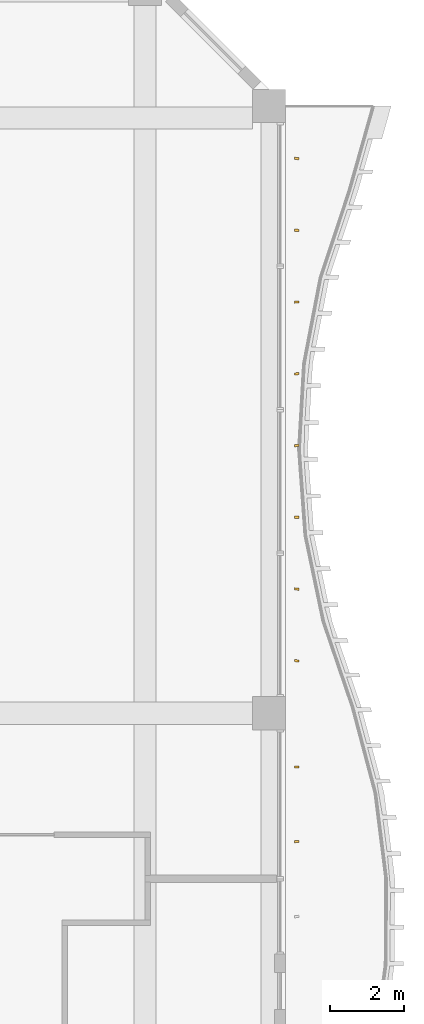
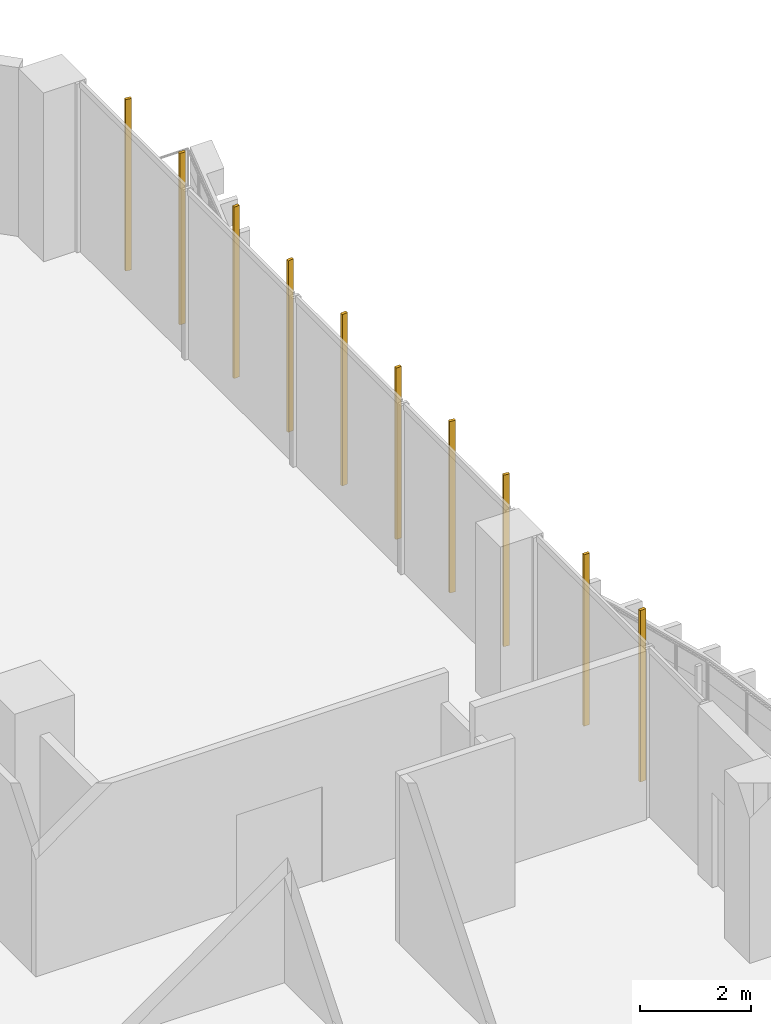
# One storey, part 29 of 29: 10 shading devices.
"""IFC4 building model written with IfcOpenShell, lengths in metres."""

import ifcopenshell
import ifcopenshell.guid

model = None  # the IFC model being written
_history = None  # IfcOwnerHistory: only IFC2X3 demands one
_inside = {}  # id of a spatial element -> (the spatial element, [elements in it])
_under = {}  # id of a project, library or spatial element -> (it, [spatial elements below it])
_declared = {}  # id of a project -> (the project, [libraries it declares])
_typed = {}  # id of a type object -> (the type object, [elements of that type])
_made_of = {}  # id of a material, layer set ... -> (it, [elements and type objects made of it])


def new_model(schema):
    """Start an empty IFC model of exactly this schema.

    Asked for "IFC4X3", IfcOpenShell would pick the latest addendum, in which some entities
    have other attributes; the version numbers below select the first issue.
    IFC2X3 requires an IfcOwnerHistory on every rooted entity: one is made here for all.
    """
    global model, _history
    if schema == "IFC4X3":
        model = ifcopenshell.file(schema_version=(4, 3, 0, 0))
    else:
        model = ifcopenshell.file(schema=schema)
    _inside.clear()
    _under.clear()
    _declared.clear()
    _typed.clear()
    _made_of.clear()
    _history = None
    if model.schema == "IFC2X3":
        org = make("IfcOrganization", Name="unknown")
        user = make(
            "IfcPersonAndOrganization",
            ThePerson=make("IfcPerson", FamilyName="unknown"),
            TheOrganization=org,
        )
        app = make(
            "IfcApplication",
            ApplicationDeveloper=org,
            Version="unknown",
            ApplicationFullName="unknown",
            ApplicationIdentifier="unknown",
        )
        _history = make(
            "IfcOwnerHistory",
            OwningUser=user,
            OwningApplication=app,
            ChangeAction="ADDED",
            CreationDate=0,
        )
    return model


def make(cls, **values):
    """One entity of the class cls with the attributes given. An attribute that is None is left unset."""
    return model.create_entity(
        cls, **{name: value for name, value in values.items() if value is not None}
    )


def rooted(cls, **values):
    """An entity with a GlobalId (a new one), such as an element, a storey or a relation."""
    return make(cls, GlobalId=ifcopenshell.guid.new(), OwnerHistory=_history, **values)


def si_unit(unit_type, name, prefix=None):
    """IfcSIUnit, for example si_unit("LENGTHUNIT", "METRE", prefix="MILLI")."""
    return make("IfcSIUnit", UnitType=unit_type, Prefix=prefix, Name=name)


def assignment(units):
    """IfcUnitAssignment: the units of a project."""
    return None if units is None else make("IfcUnitAssignment", Units=units)


def point(xyz):
    """IfcCartesianPoint."""
    return None if xyz is None else make("IfcCartesianPoint", Coordinates=xyz)


def direction(xyz):
    """IfcDirection."""
    return None if xyz is None else make("IfcDirection", DirectionRatios=xyz)


def frame(location, z_axis=None, x_axis=None):
    """IfcAxis2Placement3D, a coordinate frame: its origin and axes. An axis left out is left unset."""
    return make(
        "IfcAxis2Placement3D",
        Location=point(location),
        Axis=direction(z_axis),
        RefDirection=direction(x_axis),
    )


def frame_2d(location, x_axis=None):
    """IfcAxis2Placement2D, a coordinate frame in the plane: its origin and x axis."""
    return make(
        "IfcAxis2Placement2D", Location=point(location), RefDirection=direction(x_axis)
    )


def origin():
    """The frame at (0, 0, 0) with its axes left unset."""
    return frame((0.0, 0.0, 0.0))


def origin_2d():
    """The frame at (0, 0) in the plane with its x axis left unset."""
    return frame_2d((0.0, 0.0))


def place(relative_to, where):
    """IfcLocalPlacement: puts the frame where relative to a parent placement (None: the world)."""
    return make(
        "IfcLocalPlacement", PlacementRelTo=relative_to, RelativePlacement=where
    )


def context(
    kind, dimensions, precision=None, world=None, true_north=None, identifier=None
):
    """IfcGeometricRepresentationContext, for example the 3D "Model" context."""
    return make(
        "IfcGeometricRepresentationContext",
        ContextIdentifier=identifier,
        ContextType=kind,
        CoordinateSpaceDimension=dimensions,
        Precision=precision,
        WorldCoordinateSystem=world,
        TrueNorth=true_north,
    )


def subcontext(parent, identifier, kind, view, scale=None):
    """IfcGeometricRepresentationSubContext, for example "Body" below "Model"."""
    return make(
        "IfcGeometricRepresentationSubContext",
        ContextIdentifier=identifier,
        ContextType=kind,
        ParentContext=parent,
        TargetScale=scale,
        TargetView=view,
    )


def project(units=None, contexts=None):
    """IfcProject with its units and contexts."""
    return rooted(
        "IfcProject",
        Name="project",
        RepresentationContexts=contexts,
        UnitsInContext=assignment(units),
    )


def spatial(cls, under=None, at=None, **own):
    """A site, building, storey or space (cls), placed at a placement, below another one or the project."""
    s = rooted(cls, ObjectPlacement=at, **own)
    if under is not None:
        _under.setdefault(under.id(), (under, []))[1].append(s)
    return s


def profile(cls, at=None, kind="AREA", **sizes):
    """A parametric profile (cls). Its sizes go by their IFC names, for example OverallWidth=200.0."""
    return make(cls, ProfileType=kind, Position=at, **sizes)


def rectangle(**sizes):
    """IfcRectangleProfileDef."""
    return profile("IfcRectangleProfileDef", **sizes)


def extrude(swept, where, along, depth):
    """IfcExtrudedAreaSolid: the profile swept, set in the frame where, extruded along a direction by depth."""
    return make(
        "IfcExtrudedAreaSolid",
        SweptArea=swept,
        Position=where,
        ExtrudedDirection=direction(along),
        Depth=depth,
    )


def shape(context_of_items, identifier, shape_type, items):
    """IfcShapeRepresentation: the items that make up one representation, for example the "Body"."""
    return make(
        "IfcShapeRepresentation",
        ContextOfItems=context_of_items,
        RepresentationIdentifier=identifier,
        RepresentationType=shape_type,
        Items=items,
    )


def source(mapping_origin, context_of_items, identifier, shape_type, items):
    """IfcRepresentationMap: a shape defined once, which mapped items show again and again."""
    return make(
        "IfcRepresentationMap",
        MappingOrigin=mapping_origin,
        MappedRepresentation=shape(context_of_items, identifier, shape_type, items),
    )


def transform(
    local_origin,
    x_axis=None,
    y_axis=None,
    z_axis=None,
    scale=None,
    scale2=None,
    scale3=None,
    uniform=True,
):
    """IfcCartesianTransformationOperator3D, or its non-uniform kind. x_axis, y_axis, z_axis: its Axis1, 2, 3."""
    if uniform:
        return make(
            "IfcCartesianTransformationOperator3D",
            Axis1=direction(x_axis),
            Axis2=direction(y_axis),
            LocalOrigin=point(local_origin),
            Scale=scale,
            Axis3=direction(z_axis),
        )
    return make(
        "IfcCartesianTransformationOperator3DnonUniform",
        Axis1=direction(x_axis),
        Axis2=direction(y_axis),
        LocalOrigin=point(local_origin),
        Scale=scale,
        Axis3=direction(z_axis),
        Scale2=scale2,
        Scale3=scale3,
    )


def mapped(mapping_source, mapping_target):
    """IfcMappedItem: shows the shape of a source again, moved by a transform."""
    return make(
        "IfcMappedItem", MappingSource=mapping_source, MappingTarget=mapping_target
    )


def material(Name=None, Category=None):
    """IfcMaterial."""
    return make("IfcMaterial", Name=Name, Category=Category)


def material_profile(
    of_material, cross_section, Name=None, Category=None, Priority=None
):
    """IfcMaterialProfile: a cross section and its material."""
    return make(
        "IfcMaterialProfile",
        Name=Name,
        Material=of_material,
        Profile=cross_section,
        Priority=Priority,
        Category=Category,
    )


def profile_set(profiles, Name=None, composite=None):
    """IfcMaterialProfileSet."""
    return make(
        "IfcMaterialProfileSet",
        Name=Name,
        MaterialProfiles=profiles,
        CompositeProfile=composite,
    )


def made_of(thing, what):
    """Note that an element or type object is made of a material, layer set ...; save() writes the relation."""
    if what is not None:
        _made_of.setdefault(what.id(), (what, []))[1].append(thing)
    return thing


def type_object(cls, material=None, **own):
    """A type object (cls), such as IfcWallType, which elements share."""
    return made_of(rooted(cls, **own), material)


def element(
    cls,
    number,
    at=None,
    inside=None,
    cuts=None,
    type_object=None,
    material=None,
    context=None,
    identifier="Body",
    shape_type=None,
    held_by="IfcProductDefinitionShape",
    body=None,
    shapes=None,
    **own,
):
    """One element of the class cls, such as IfcWall. Its Tag is "e" and its number.

    at: its placement. inside: the storey or other place that contains it. cuts: it is an
    opening in that element (IfcRelVoidsElement). A single representation is given by context,
    identifier, shape_type and body (its items); several are given by shapes. held_by: the class
    of the entity that holds the representations. save() writes the other relations.
    """
    e = rooted(cls, Tag="e%d" % number, ObjectPlacement=at, **own)
    if body is not None:
        shapes = [shape(context, identifier, shape_type, body)]
    if shapes is not None:
        e.Representation = make(held_by, Representations=shapes)
    if inside is not None:
        _inside.setdefault(inside.id(), (inside, []))[1].append(e)
    if cuts is not None:
        rooted(
            "IfcRelVoidsElement", RelatingBuildingElement=cuts, RelatedOpeningElement=e
        )
    if type_object is not None:
        _typed.setdefault(type_object.id(), (type_object, []))[1].append(e)
    return made_of(e, material)


def aggregate(whole, parts):
    """IfcRelAggregates: a whole, such as a stair, and the parts it consists of."""
    return rooted("IfcRelAggregates", RelatingObject=whole, RelatedObjects=parts)


def save(model, path):
    """Write the relations noted so far, then the file.

    IfcRelAggregates (storeys below a building ...), IfcRelContainedInSpatialStructure (elements
    in a storey), IfcRelDefinesByType, IfcRelAssociatesMaterial and IfcRelDeclares: one each for
    every whole, place, type object, material and project.
    """
    for whole, parts in _under.values():
        aggregate(whole, parts)
    for where, things in _inside.values():
        rooted(
            "IfcRelContainedInSpatialStructure",
            RelatedElements=things,
            RelatingStructure=where,
        )
    for kind, things in _typed.values():
        rooted("IfcRelDefinesByType", RelatedObjects=things, RelatingType=kind)
    for what, things in _made_of.values():
        rooted("IfcRelAssociatesMaterial", RelatedObjects=things, RelatingMaterial=what)
    for by, libraries in _declared.values():
        rooted("IfcRelDeclares", RelatingContext=by, RelatedDefinitions=libraries)
    model.write(path)


model = new_model("IFC4")

# Units and contexts
model_context = context("Model", 3, precision=1e-05, world=origin(), true_north=direction((0.0, 1.0)))
body_context = subcontext(model_context, "Body", "Model", "MODEL_VIEW")
ifc_project = project(units=[si_unit("LENGTHUNIT", "METRE"), si_unit("AREAUNIT", "SQUARE_METRE"), si_unit("VOLUMEUNIT", "CUBIC_METRE"), si_unit("PLANEANGLEUNIT", "RADIAN"), si_unit("MASSUNIT", "GRAM", prefix="KILO")], contexts=[model_context])

# Site, building, storey
site_placement = place(None, origin())
site = spatial("IfcSite", under=ifc_project, at=site_placement, CompositionType="ELEMENT")
building_placement = place(site_placement, origin())
building = spatial("IfcBuilding", under=site, at=building_placement, Name="Kilnfold Tower and Market Hall", CompositionType="ELEMENT")
storey_placement = place(building_placement, frame((0.0, 0.0, 79.199951171875)))
storey = spatial("IfcBuildingStorey", under=building, at=storey_placement, Name="L18", CompositionType="ELEMENT", Elevation=79.199951171875)

# Shading devices
ifc_material = material(Name="Terracotta", Category="masonry")
ifc_material_profile = material_profile(ifc_material, rectangle(XDim=0.06005859375, YDim=0.1201171875, at=origin_2d()), Name="BAG 60x120")
ifc_profile_set = profile_set([ifc_material_profile], Name="Terracotta")
shading_device_type = type_object("IfcShadingDeviceType", Name="BAGUETTE", PredefinedType="USERDEFINED", material=ifc_profile_set)
shared_shape = source(origin(), body_context, "Body", "SweptSolid", [
    extrude(rectangle(XDim=0.06005859375, YDim=0.1201171875, at=origin_2d()), origin(), (0.0, 0.0, 1.0), 3.780029296875),
])
for number, where, z_axis, x_axis, name in (
    (1, (33.300048828125, 4.512451171875, 0.0), (0.0, 0.0, 1.0), (-0.091630230453, 0.995793101436, 0.0), "Terracotta baguette L18 E"),
    (2, (33.300048828125, 6.53759765625, 0.0), (0.0, 0.0, 1.0), (0.02660614975, 0.999645993738, 0.0), "Terracotta baguette L18 E"),
    (3, (33.300048828125, 9.425048828125, 0.0), (0.0, 0.0, 1.0), (0.138696061935, 0.990334995041, 0.0), "Terracotta baguette L18 E"),
    (4, (33.300048828125, 11.375, 0.0), (0.0, 0.0, 1.0), (0.097918135119, 0.995194472862, 0.0), "Terracotta baguette L18 E"),
    (5, (33.300048828125, 13.324951171875, 0.0), (0.0, 0.0, 1.0), (-0.013435140369, 0.999909744429, 0.0), "Terracotta baguette L18 E"),
    (6, (33.300048828125, 15.27490234375, 0.0), (0.0, 0.0, 1.0), (-0.115041175615, 0.993360723963, 0.0), "Terracotta baguette L18 E"),
    (7, (33.300048828125, 17.22509765625, 0.0), (0.0, 0.0, 1.0), (-0.133941215889, 0.990989278795, 0.0), "Terracotta baguette L18 E"),
    (8, (33.300048828125, 19.175048828125, 0.0), (0.0, 0.0, 1.0), (-0.056870523927, 0.998381562083, 0.0), "Terracotta baguette L18 E"),
    (9, (33.300048828125, 21.125, 0.0), (0.0, 0.0, 1.0), (0.06137430409, 0.998114820448, 0.0), "Terracotta baguette L18 E"),
    (10, (33.300048828125, 23.074951171875, 0.0), (0.0, 0.0, 1.0), (0.135201987411, 0.990818057264, 0.0), "Terracotta baguette L18 E"),
):
    element("IfcShadingDevice", number, at=place(storey_placement, frame(where, z_axis=z_axis, x_axis=x_axis)), inside=storey, type_object=shading_device_type, Name=name, ObjectType="BAGUETTE", PredefinedType="USERDEFINED", context=body_context, shape_type="MappedRepresentation", body=[
        mapped(shared_shape, transform((0.0, 0.0, 0.0))),
    ])

save(model, "model.ifc")
